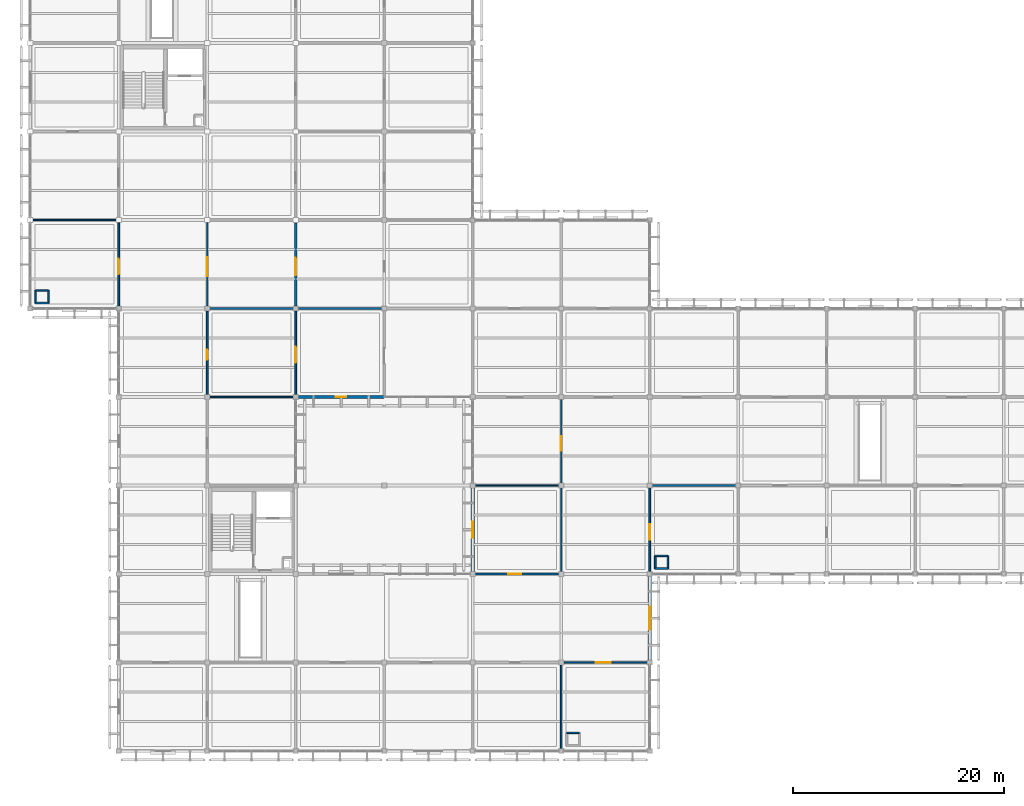
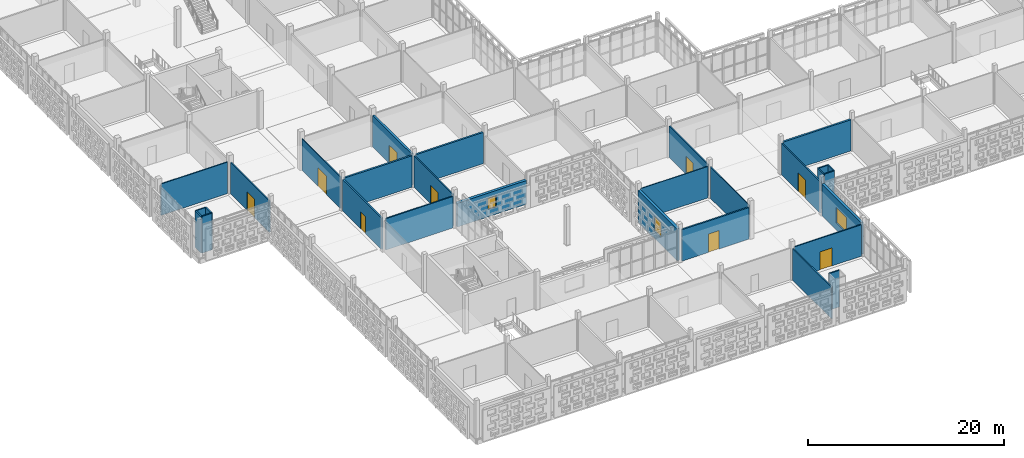
# One storey, part 114 of 203: 29 walls, 9 doors, 3 windows, 12 openings.
"""IFC4 building model written with IfcOpenShell, lengths in metres."""

from ifc_helpers import new_model, si_unit, direction, frame, frame_2d, origin, place, context, subcontext, project, spatial, rectangle, extrude, material, layer, layer_set, type_object, element, fill, save


model = new_model("IFC4")

# Units and contexts
model_context = context("Model", 3, precision=1e-05, world=origin(), true_north=direction((0.0, 1.0)))
body_context = subcontext(model_context, "Body", "Model", "MODEL_VIEW")
ifc_project = project(units=[si_unit("LENGTHUNIT", "METRE"), si_unit("AREAUNIT", "SQUARE_METRE"), si_unit("VOLUMEUNIT", "CUBIC_METRE"), si_unit("PLANEANGLEUNIT", "RADIAN"), si_unit("MASSUNIT", "GRAM", prefix="KILO")], contexts=[model_context])

# Site, building, storey
site_placement = place(None, origin())
site = spatial("IfcSite", under=ifc_project, at=site_placement, CompositionType="ELEMENT")
building_placement = place(site_placement, origin())
building = spatial("IfcBuilding", under=site, at=building_placement, Name="Varnapada Polytechnic", CompositionType="ELEMENT")
storey_placement = place(building_placement, frame((0.0, 0.0, 4.800048828125)))
storey = spatial("IfcBuildingStorey", under=building, at=storey_placement, Name="L01", CompositionType="ELEMENT", Elevation=4.800048828125)

# Walls
ifc_material_1 = material(Name="Autoclaved Aerated Concrete Block AAC-600", Category="concrete")
ifc_layer_1 = layer(ifc_material_1, 0.14990234375)
ifc_layer_set_1 = layer_set([ifc_layer_1], Name="Autoclaved Aerated Concrete Block AAC-600")
wall_type_1 = type_object("IfcWallType", Name="Interior Wall IW-02", PredefinedType="PARTITIONING", material=ifc_layer_set_1)
for number, where, z_axis, x_axis, name in (
    (1, (0.52001953125, 42.52001953125, 0.0), (0.0, 0.0, 1.0), (1.0, 0.0, 0.0), "L01 enclosed service riser wall (1,6) S"),
    (2, (1.719970703125, 42.52001953125, 0.0), (0.0, 0.0, 1.0), (0.0, 1.0, 0.0), "L01 enclosed service riser wall (1,6) E"),
    (3, (1.719970703125, 43.719970703125, 0.0), (0.0, 0.0, 1.0), (-1.0, 0.0, 0.0), "L01 enclosed service riser wall (1,6) N"),
    (4, (0.52001953125, 43.719970703125, 0.0), (0.0, 0.0, 1.0), (0.0, -1.0, 0.0), "L01 enclosed service riser wall (1,6) W"),
):
    element("IfcWall", number, at=place(storey_placement, frame(where, z_axis=z_axis, x_axis=x_axis)), inside=storey, type_object=wall_type_1, Name=name, PredefinedType="PARTITIONING", context=body_context, shape_type="SweptSolid", body=[
        extrude(rectangle(XDim=1.199951171875, YDim=0.14990234375, at=frame_2d((0.60009765625, 0.0))), origin(), (0.0, 0.0, 1.0), 4.56005859375),
    ])
wall_1_placement = place(storey_placement, frame((52.1201171875, 1.719970703125, 0.0), z_axis=(0.0, 0.0, 1.0), x_axis=(-1.0, 0.0, 0.0)))
element("IfcWall", 5, at=wall_1_placement, inside=storey, type_object=wall_type_1, Name="L01 enclosed service riser wall (7,1) N", PredefinedType="PARTITIONING", context=body_context, shape_type="SweptSolid", body=[
    extrude(rectangle(XDim=1.2001953125, YDim=0.14990234375, at=frame_2d((0.60009765625, 0.0))), origin(), (0.0, 0.0, 1.0), 4.56005859375),
])
for number, where, z_axis, x_axis, name in (
    (6, (59.320068359375, 17.320068359375, 0.0), (0.0, 0.0, 1.0), (1.0, 0.0, 0.0), "L01 enclosed service riser wall (8,3) S"),
    (7, (60.52001953125, 17.320068359375, 0.0), (0.0, 0.0, 1.0), (0.0, 1.0, 0.0), "L01 enclosed service riser wall (8,3) E"),
    (8, (60.52001953125, 18.52001953125, 0.0), (0.0, 0.0, 1.0), (-1.0, 0.0, 0.0), "L01 enclosed service riser wall (8,3) N"),
    (9, (59.320068359375, 18.52001953125, 0.0), (0.0, 0.0, 1.0), (0.0, -1.0, 0.0), "L01 enclosed service riser wall (8,3) W"),
):
    element("IfcWall", number, at=place(storey_placement, frame(where, z_axis=z_axis, x_axis=x_axis)), inside=storey, type_object=wall_type_1, Name=name, PredefinedType="PARTITIONING", context=body_context, shape_type="SweptSolid", body=[
        extrude(rectangle(XDim=1.199951171875, YDim=0.14990234375, at=frame_2d((0.60009765625, 0.0))), origin(), (0.0, 0.0, 1.0), 4.530029296875),
    ])

# Wall, opening, door
wall_2_placement = place(storey_placement, frame((8.39990234375, 42.22998046875, 0.0), z_axis=(0.0, 0.0, 1.0), x_axis=(0.0, 1.0, 0.0)))
wall_2 = element("IfcWall", 10, at=wall_2_placement, inside=storey, type_object=wall_type_1, Name="L01 interior partition IW-L01-00-05-V", PredefinedType="PARTITIONING", context=body_context, shape_type="SweptSolid", body=[
    extrude(rectangle(XDim=7.89013671875, YDim=0.14990234375, at=frame_2d((3.945068359375, 0.0))), origin(), (0.0, 0.0, 1.0), 3.919921875),
])
opening_1_placement = place(wall_2_placement, frame((3.0, 0.0, 0.0)))
opening_1 = element("IfcOpeningElement", 11, at=opening_1_placement, cuts=wall_2, Name="Opening D-957", PredefinedType="OPENING", context=body_context, shape_type="SweptSolid", body=[
    extrude(rectangle(XDim=1.5, YDim=2.300048828125, at=frame_2d((0.75, 1.14990234375))), frame((0.0, 0.0849609375, 0.0), z_axis=(0.0, -1.0, 0.0), x_axis=(1.0, 0.0, 0.0)), (0.0, 0.0, 1.0), 0.169921875),
])
ifc_material_2 = material(Name="Galvanized Steel Z275", Category="steel")
door_type_1 = type_object("IfcDoorType", Name="Interior Door ID-07", OperationType="NOTDEFINED", PredefinedType="DOOR", material=ifc_material_2)
door_1_placement = place(opening_1_placement, origin())
door_1 = element("IfcDoor", 12, at=door_1_placement, inside=storey, type_object=door_type_1, Name="L01 interior room door D-957", OperationType="SINGLE_SWING_RIGHT", OverallHeight=2.300048828125, OverallWidth=1.5, PredefinedType="DOOR", context=body_context, shape_type="SweptSolid", body=[
    extrude(rectangle(XDim=1.5, YDim=2.300048828125, at=frame_2d((0.75, 1.14990234375))), frame((0.0, 0.02490234375, 0.0), z_axis=(0.0, -1.0, 0.0), x_axis=(1.0, 0.0, 0.0)), (0.0, 0.0, 1.0), 0.050048828125),
])
fill(opening_1, door_1)

# Walls
ifc_material_3 = material(Name="Gypsum Plasterboard Acoustic Partition")
ifc_layer_2 = layer(ifc_material_3, 0.125)
ifc_layer_set_2 = layer_set([ifc_layer_2], Name="Gypsum Plasterboard Acoustic Partition")
wall_type_2 = type_object("IfcWallType", Name="Interior Wall IW-03", PredefinedType="PARTITIONING", material=ifc_layer_set_2)
wall_3_placement = place(storey_placement, frame((0.280029296875, 50.39990234375, 0.0), z_axis=(0.0, 0.0, 1.0), x_axis=(1.0, 0.0, 0.0)))
element("IfcWall", 13, at=wall_3_placement, inside=storey, type_object=wall_type_2, Name="L01 interior partition IW-L01-00-05-H", PredefinedType="PARTITIONING", context=body_context, shape_type="SweptSolid", body=[
    extrude(rectangle(XDim=7.840087890625, YDim=0.125, at=frame_2d((3.919921875, 0.0))), origin(), (0.0, 0.0, 1.0), 3.919921875),
])
ifc_material_4 = material(Name="Moisture-Resistant Cement Board Partition")
ifc_layer_3 = layer(ifc_material_4, 0.139892578125)
ifc_layer_set_3 = layer_set([ifc_layer_3], Name="Moisture-Resistant Cement Board Partition")
wall_type_3 = type_object("IfcWallType", Name="Interior Wall IW-04", PredefinedType="PARTITIONING", material=ifc_layer_set_3)
wall_4_placement = place(storey_placement, frame((17.050048828125, 33.60009765625, 0.0), z_axis=(0.0, 0.0, 1.0), x_axis=(1.0, 0.0, 0.0)))
element("IfcWall", 14, at=wall_4_placement, inside=storey, type_object=wall_type_3, Name="L01 interior partition IW-L01-02-03-H", PredefinedType="PARTITIONING", context=body_context, shape_type="SweptSolid", body=[
    extrude(rectangle(XDim=7.89990234375, YDim=0.139892578125, at=frame_2d((3.949951171875, 0.0))), origin(), (0.0, 0.0, 1.0), 3.919921875),
])
wall_5_placement = place(storey_placement, frame((50.39990234375, 0.2099609375, 0.0), z_axis=(0.0, 0.0, 1.0), x_axis=(0.0, 1.0, 0.0)))
element("IfcWall", 15, at=wall_5_placement, inside=storey, type_object=wall_type_3, Name="L01 interior partition IW-L01-05-00-V", PredefinedType="PARTITIONING", context=body_context, shape_type="SweptSolid", body=[
    extrude(rectangle(XDim=7.949951171875, YDim=0.139892578125, at=frame_2d((3.97509765625, 0.0))), origin(), (0.0, 0.0, 1.0), 3.919921875),
])

# Wall, opening, door
wall_6_placement = place(storey_placement, frame((50.639892578125, 8.39990234375, 0.0), z_axis=(0.0, 0.0, 1.0), x_axis=(1.0, 0.0, 0.0)))
wall_6 = element("IfcWall", 16, at=wall_6_placement, inside=storey, type_object=wall_type_3, Name="L01 interior partition IW-L01-06-00-H", PredefinedType="PARTITIONING", context=body_context, shape_type="SweptSolid", body=[
    extrude(rectangle(XDim=7.93017578125, YDim=0.139892578125, at=frame_2d((3.965087890625, 0.0))), origin(), (0.0, 0.0, 1.0), 3.919921875),
])
opening_2_placement = place(wall_6_placement, frame((3.050048828125, 0.0, 0.0)))
opening_2 = element("IfcOpeningElement", 17, at=opening_2_placement, cuts=wall_6, Name="Opening D-1007", PredefinedType="OPENING", context=body_context, shape_type="SweptSolid", body=[
    extrude(rectangle(XDim=1.39990234375, YDim=2.25, at=frame_2d((0.699951171875, 1.125))), frame((0.0, 0.079833984375, 0.0), z_axis=(0.0, -1.0, 0.0), x_axis=(1.0, 0.0, 0.0)), (0.0, 0.0, 1.0), 0.159912109375),
])
ifc_material_5 = material(Name="Powder-Coated Aluminium 6063-T6", Category="aluminium")
door_type_2 = type_object("IfcDoorType", Name="Interior Door ID-06", OperationType="NOTDEFINED", PredefinedType="DOOR", material=ifc_material_5)
door_2_placement = place(opening_2_placement, frame((1.39990234375, 0.0, 0.0), z_axis=(0.0, 0.0, 1.0), x_axis=(-1.0, 0.0, 0.0)))
door_2 = element("IfcDoor", 18, at=door_2_placement, inside=storey, type_object=door_type_2, Name="L01 interior room door D-1007", OperationType="SINGLE_SWING_RIGHT", OverallHeight=2.25, OverallWidth=1.39990234375, PredefinedType="DOOR", context=body_context, shape_type="SweptSolid", body=[
    extrude(rectangle(XDim=1.39990234375, YDim=2.25, at=frame_2d((0.699951171875, 1.125))), frame((0.0, 0.02490234375, 0.0), z_axis=(0.0, -1.0, 0.0), x_axis=(1.0, 0.0, 0.0)), (0.0, 0.0, 1.0), 0.050048828125),
])
fill(opening_2, door_2)

ifc_material_6 = material(Name="Cross-laminated timber CLT C24", Category="wood")
ifc_layer_4 = layer(ifc_material_6, 0.159912109375)
ifc_layer_set_4 = layer_set([ifc_layer_4], Name="Cross-laminated timber CLT C24")
wall_type_4 = type_object("IfcWallType", Name="Interior Wall IW-05", PredefinedType="PARTITIONING", material=ifc_layer_set_4)
wall_7_placement = place(storey_placement, frame((58.800048828125, 17.030029296875, 0.0), z_axis=(0.0, 0.0, 1.0), x_axis=(0.0, 1.0, 0.0)))
wall_7 = element("IfcWall", 19, at=wall_7_placement, inside=storey, type_object=wall_type_4, Name="L01 interior partition IW-L01-06-02-V", PredefinedType="PARTITIONING", context=body_context, shape_type="SweptSolid", body=[
    extrude(rectangle(XDim=7.93994140625, YDim=0.159912109375, at=frame_2d((3.969970703125, 0.0))), origin(), (0.0, 0.0, 1.0), 3.919921875),
])
opening_3_placement = place(wall_7_placement, frame((3.0, 0.0, 0.0)))
opening_3 = element("IfcOpeningElement", 20, at=opening_3_placement, cuts=wall_7, Name="Opening D-1008", PredefinedType="OPENING", context=body_context, shape_type="SweptSolid", body=[
    extrude(rectangle(XDim=1.5, YDim=2.300048828125, at=frame_2d((0.75, 1.14990234375))), frame((0.0, 0.08984375, 0.0), z_axis=(0.0, -1.0, 0.0), x_axis=(1.0, 0.0, 0.0)), (0.0, 0.0, 1.0), 0.179931640625),
])
door_3_placement = place(opening_3_placement, origin())
door_3 = element("IfcDoor", 21, at=door_3_placement, inside=storey, type_object=door_type_1, Name="L01 interior room door D-1008", OperationType="SINGLE_SWING_LEFT", OverallHeight=2.300048828125, OverallWidth=1.5, PredefinedType="DOOR", context=body_context, shape_type="SweptSolid", body=[
    extrude(rectangle(XDim=1.5, YDim=2.300048828125, at=frame_2d((0.75, 1.14990234375))), frame((0.0, 0.02490234375, 0.0), z_axis=(0.0, -1.0, 0.0), x_axis=(1.0, 0.0, 0.0)), (0.0, 0.0, 1.0), 0.050048828125),
])
fill(opening_3, door_3)

ifc_material_7 = material(Name="Acoustic Double-Stud Studio Partition")
ifc_layer_5 = layer(ifc_material_7, 0.179931640625)
ifc_layer_set_5 = layer_set([ifc_layer_5], Name="Acoustic Double-Stud Studio Partition")
wall_type_5 = type_object("IfcWallType", Name="Interior Wall IW-06", PredefinedType="PARTITIONING", material=ifc_layer_set_5)
wall_8_placement = place(storey_placement, frame((16.800048828125, 33.85009765625, 0.0), z_axis=(0.0, 0.0, 1.0), x_axis=(0.0, 1.0, 0.0)))
wall_8 = element("IfcWall", 22, at=wall_8_placement, inside=storey, type_object=wall_type_5, Name="L01 interior partition IW-L01-01-04-V", PredefinedType="PARTITIONING", context=body_context, shape_type="SweptSolid", body=[
    extrude(rectangle(XDim=7.919921875, YDim=0.179931640625, at=frame_2d((3.9599609375, 0.0))), origin(), (0.0, 0.0, 1.0), 3.919921875),
])
opening_4_placement = place(wall_8_placement, frame((3.27490234375, 0.0, 0.0)))
opening_4 = element("IfcOpeningElement", 23, at=opening_4_placement, cuts=wall_8, Name="Opening D-970", PredefinedType="OPENING", context=body_context, shape_type="SweptSolid", body=[
    extrude(rectangle(XDim=0.949951171875, YDim=2.14990234375, at=frame_2d((0.47509765625, 1.074951171875))), frame((0.0, 0.099853515625, 0.0), z_axis=(0.0, -1.0, 0.0), x_axis=(1.0, 0.0, 0.0)), (0.0, 0.0, 1.0), 0.199951171875),
])
ifc_material_8 = material(Name="Moisture-Resistant HPL Timber", Category="wood")
door_type_3 = type_object("IfcDoorType", Name="Interior Door ID-03", OperationType="NOTDEFINED", PredefinedType="DOOR", material=ifc_material_8)
door_4_placement = place(opening_4_placement, origin())
door_4 = element("IfcDoor", 24, at=door_4_placement, inside=storey, type_object=door_type_3, Name="L01 interior room door D-970", OperationType="SINGLE_SWING_LEFT", OverallHeight=2.14990234375, OverallWidth=0.949951171875, PredefinedType="DOOR", context=body_context, shape_type="SweptSolid", body=[
    extrude(rectangle(XDim=0.949951171875, YDim=2.14990234375, at=frame_2d((0.47509765625, 1.074951171875))), frame((0.0, 0.02490234375, 0.0), z_axis=(0.0, -1.0, 0.0), x_axis=(1.0, 0.0, 0.0)), (0.0, 0.0, 1.0), 0.050048828125),
])
fill(opening_4, door_4)

wall_9_placement = place(storey_placement, frame((42.25, 16.800048828125, 0.0), z_axis=(0.0, 0.0, 1.0), x_axis=(1.0, 0.0, 0.0)))
wall_9 = element("IfcWall", 25, at=wall_9_placement, inside=storey, type_object=wall_type_5, Name="L01 interior partition IW-L01-05-01-H", PredefinedType="PARTITIONING", context=body_context, shape_type="SweptSolid", body=[
    extrude(rectangle(XDim=7.89990234375, YDim=0.179931640625, at=frame_2d((3.949951171875, 0.0))), origin(), (0.0, 0.0, 1.0), 3.919921875),
])
opening_5_placement = place(wall_9_placement, frame((3.125, 0.0, 0.0)))
opening_5 = element("IfcOpeningElement", 26, at=opening_5_placement, cuts=wall_9, Name="Opening D-1000", PredefinedType="OPENING", context=body_context, shape_type="SweptSolid", body=[
    extrude(rectangle(XDim=1.25, YDim=2.300048828125, at=frame_2d((0.625, 1.14990234375))), frame((0.0, 0.099853515625, 0.0), z_axis=(0.0, -1.0, 0.0), x_axis=(1.0, 0.0, 0.0)), (0.0, 0.0, 1.0), 0.199951171875),
])
ifc_material_9 = material(Name="Solid Teak Hardwood Timber", Category="wood")
door_type_4 = type_object("IfcDoorType", Name="Interior Door ID-16", OperationType="NOTDEFINED", PredefinedType="DOOR", material=ifc_material_9)
door_5_placement = place(opening_5_placement, origin())
door_5 = element("IfcDoor", 27, at=door_5_placement, inside=storey, type_object=door_type_4, Name="L01 interior room door D-1000", OperationType="SINGLE_SWING_LEFT", OverallHeight=2.300048828125, OverallWidth=1.25, PredefinedType="DOOR", context=body_context, shape_type="SweptSolid", body=[
    extrude(rectangle(XDim=1.25, YDim=2.300048828125, at=frame_2d((0.625, 1.14990234375))), frame((0.0, 0.02490234375, 0.0), z_axis=(0.0, -1.0, 0.0), x_axis=(1.0, 0.0, 0.0)), (0.0, 0.0, 1.0), 0.050048828125),
])
fill(opening_5, door_5)

ifc_material_10 = material(Name="Glazed Timber-Framed Studio Screen", Category="wood")
ifc_layer_6 = layer(ifc_material_10, 0.110107421875)
ifc_layer_set_6 = layer_set([ifc_layer_6], Name="Glazed Timber-Framed Studio Screen")
wall_type_6 = type_object("IfcWallType", Name="Interior Wall IW-07", PredefinedType="PARTITIONING", material=ifc_layer_set_6)
wall_10_placement = place(storey_placement, frame((16.800048828125, 42.22998046875, 0.0), z_axis=(0.0, 0.0, 1.0), x_axis=(0.0, 1.0, 0.0)))
wall_10 = element("IfcWall", 28, at=wall_10_placement, inside=storey, type_object=wall_type_6, Name="L01 interior partition IW-L01-01-05-V", PredefinedType="PARTITIONING", context=body_context, shape_type="SweptSolid", body=[
    extrude(rectangle(XDim=7.89013671875, YDim=0.110107421875, at=frame_2d((3.945068359375, 0.0))), origin(), (0.0, 0.0, 1.0), 3.919921875),
])
opening_6_placement = place(wall_10_placement, frame((2.85009765625, 0.0, 0.0)))
opening_6 = element("IfcOpeningElement", 29, at=opening_6_placement, cuts=wall_10, Name="Opening D-971", PredefinedType="OPENING", context=body_context, shape_type="SweptSolid", body=[
    extrude(rectangle(XDim=1.800048828125, YDim=2.300048828125, at=frame_2d((0.89990234375, 1.14990234375))), frame((0.0, 0.06494140625, 0.0), z_axis=(0.0, -1.0, 0.0), x_axis=(1.0, 0.0, 0.0)), (0.0, 0.0, 1.0), 0.130126953125),
])
ifc_material_11 = material(Name="Acoustic Double Timber Leaf", Category="wood")
door_type_5 = type_object("IfcDoorType", Name="Interior Door ID-04", OperationType="NOTDEFINED", PredefinedType="DOOR", material=ifc_material_11)
door_6_placement = place(opening_6_placement, frame((1.800048828125, 0.0, 0.0), z_axis=(0.0, 0.0, 1.0), x_axis=(-1.0, 0.0, 0.0)))
door_6 = element("IfcDoor", 30, at=door_6_placement, inside=storey, type_object=door_type_5, Name="L01 interior room door D-971", OperationType="SINGLE_SWING_RIGHT", OverallHeight=2.300048828125, OverallWidth=1.800048828125, PredefinedType="DOOR", context=body_context, shape_type="SweptSolid", body=[
    extrude(rectangle(XDim=1.800048828125, YDim=2.300048828125, at=frame_2d((0.89990234375, 1.14990234375))), frame((0.0, 0.02490234375, 0.0), z_axis=(0.0, -1.0, 0.0), x_axis=(1.0, 0.0, 0.0)), (0.0, 0.0, 1.0), 0.050048828125),
])
fill(opening_6, door_6)

# Walls
wall_11_placement = place(storey_placement, frame((50.39990234375, 17.050048828125, 0.0), z_axis=(0.0, 0.0, 1.0), x_axis=(0.0, 1.0, 0.0)))
element("IfcWall", 31, at=wall_11_placement, inside=storey, type_object=wall_type_6, Name="L01 interior partition IW-L01-05-02-V", PredefinedType="PARTITIONING", context=body_context, shape_type="SweptSolid", body=[
    extrude(rectangle(XDim=7.909912109375, YDim=0.110107421875, at=frame_2d((3.955078125, 0.0))), origin(), (0.0, 0.0, 1.0), 3.919921875),
])
ifc_material_12 = material(Name="Operable Acoustic Seminar Partition")
ifc_layer_7 = layer(ifc_material_12, 0.10009765625)
ifc_layer_set_7 = layer_set([ifc_layer_7], Name="Operable Acoustic Seminar Partition")
wall_type_7 = type_object("IfcWallType", Name="Interior Wall IW-08", PredefinedType="MOVABLE", material=ifc_layer_set_7)
wall_12_placement = place(storey_placement, frame((42.239990234375, 25.199951171875, 0.0), z_axis=(0.0, 0.0, 1.0), x_axis=(1.0, 0.0, 0.0)))
element("IfcWall", 32, at=wall_12_placement, inside=storey, type_object=wall_type_7, Name="L01 interior partition IW-L01-05-02-H", PredefinedType="MOVABLE", context=body_context, shape_type="SweptSolid", body=[
    extrude(rectangle(XDim=7.919921875, YDim=0.10009765625, at=frame_2d((3.9599609375, 0.0))), origin(), (0.0, 0.0, 1.0), 3.919921875),
])

# Wall, opening, door
ifc_material_13 = material(Name="Calcium Silicate Acoustic Lab Partition")
ifc_layer_8 = layer(ifc_material_13, 0.135009765625)
ifc_layer_set_8 = layer_set([ifc_layer_8], Name="Calcium Silicate Acoustic Lab Partition")
wall_type_8 = type_object("IfcWallType", Name="Interior Wall IW-09", PredefinedType="PARTITIONING", material=ifc_layer_set_8)
wall_13_placement = place(storey_placement, frame((50.39990234375, 25.43994140625, 0.0), z_axis=(0.0, 0.0, 1.0), x_axis=(0.0, 1.0, 0.0)))
wall_13 = element("IfcWall", 33, at=wall_13_placement, inside=storey, type_object=wall_type_8, Name="L01 interior partition IW-L01-05-03-V", PredefinedType="PARTITIONING", context=body_context, shape_type="SweptSolid", body=[
    extrude(rectangle(XDim=7.91015625, YDim=0.135009765625, at=frame_2d((3.955078125, 0.0))), origin(), (0.0, 0.0, 1.0), 3.919921875),
])
opening_7_placement = place(wall_13_placement, frame((3.074951171875, 0.0, 0.0)))
opening_7 = element("IfcOpeningElement", 34, at=opening_7_placement, cuts=wall_13, Name="Opening D-1001", PredefinedType="OPENING", context=body_context, shape_type="SweptSolid", body=[
    extrude(rectangle(XDim=1.35009765625, YDim=2.25, at=frame_2d((0.675048828125, 1.125))), frame((0.0, 0.077392578125, 0.0), z_axis=(0.0, -1.0, 0.0), x_axis=(1.0, 0.0, 0.0)), (0.0, 0.0, 1.0), 0.155029296875),
])
door_type_6 = type_object("IfcDoorType", Name="Interior Door ID-17", OperationType="NOTDEFINED", PredefinedType="DOOR", material=ifc_material_5)
door_7_placement = place(opening_7_placement, frame((1.35009765625, 0.0, 0.0), z_axis=(0.0, 0.0, 1.0), x_axis=(-1.0, 0.0, 0.0)))
door_7 = element("IfcDoor", 35, at=door_7_placement, inside=storey, type_object=door_type_6, Name="L01 interior room door D-1001", OperationType="SINGLE_SWING_RIGHT", OverallHeight=2.25, OverallWidth=1.35009765625, PredefinedType="DOOR", context=body_context, shape_type="SweptSolid", body=[
    extrude(rectangle(XDim=1.35009765625, YDim=2.25, at=frame_2d((0.675048828125, 1.125))), frame((0.0, 0.02490234375, 0.0), z_axis=(0.0, -1.0, 0.0), x_axis=(1.0, 0.0, 0.0)), (0.0, 0.0, 1.0), 0.050048828125),
])
fill(opening_7, door_7)

# Wall
ifc_material_14 = material(Name="Heavy Acoustic Auditorium Baffle Wall")
ifc_layer_9 = layer(ifc_material_14, 0.219970703125)
ifc_layer_set_9 = layer_set([ifc_layer_9], Name="Heavy Acoustic Auditorium Baffle Wall")
wall_type_9 = type_object("IfcWallType", Name="Interior Wall IW-13", PredefinedType="PARTITIONING", material=ifc_layer_set_9)
wall_14_placement = place(storey_placement, frame((59.030029296875, 25.199951171875, 0.0), z_axis=(0.0, 0.0, 1.0), x_axis=(1.0, 0.0, 0.0)))
element("IfcWall", 36, at=wall_14_placement, inside=storey, type_object=wall_type_9, Name="L01 interior partition IW-L01-07-02-H", PredefinedType="PARTITIONING", context=body_context, shape_type="SweptSolid", body=[
    extrude(rectangle(XDim=7.9599609375, YDim=0.219970703125, at=frame_2d((3.97998046875, 0.0))), origin(), (0.0, 0.0, 1.0), 3.889892578125),
])

# Wall, opening, door
ifc_material_15 = material(Name="Perforated Timber-Lined Seminar Wall", Category="wood")
ifc_layer_10 = layer(ifc_material_15, 0.155029296875)
ifc_layer_set_10 = layer_set([ifc_layer_10], Name="Perforated Timber-Lined Seminar Wall")
wall_type_10 = type_object("IfcWallType", Name="Interior Wall IW-15", PredefinedType="PARTITIONING", material=ifc_layer_set_10)
wall_15_placement = place(storey_placement, frame((25.199951171875, 33.85009765625, 0.0), z_axis=(0.0, 0.0, 1.0), x_axis=(0.0, 1.0, 0.0)))
wall_15 = element("IfcWall", 37, at=wall_15_placement, inside=storey, type_object=wall_type_10, Name="L01 interior partition IW-L01-02-04-V", PredefinedType="PARTITIONING", context=body_context, shape_type="SweptSolid", body=[
    extrude(rectangle(XDim=7.919921875, YDim=0.155029296875, at=frame_2d((3.9599609375, 0.0))), origin(), (0.0, 0.0, 1.0), 3.919921875),
])
opening_8_placement = place(wall_15_placement, frame((3.0, 0.0, 0.0)))
opening_8 = element("IfcOpeningElement", 38, at=opening_8_placement, cuts=wall_15, Name="Opening D-974", PredefinedType="OPENING", context=body_context, shape_type="SweptSolid", body=[
    extrude(rectangle(XDim=1.5, YDim=2.300048828125, at=frame_2d((0.75, 1.14990234375))), frame((0.0, 0.08740234375, 0.0), z_axis=(0.0, -1.0, 0.0), x_axis=(1.0, 0.0, 0.0)), (0.0, 0.0, 1.0), 0.175048828125),
])
door_8_placement = place(opening_8_placement, frame((1.5, 0.0, 0.0), z_axis=(0.0, 0.0, 1.0), x_axis=(-1.0, 0.0, 0.0)))
door_8 = element("IfcDoor", 39, at=door_8_placement, inside=storey, type_object=door_type_1, Name="L01 interior room door D-974", OperationType="SINGLE_SWING_LEFT", OverallHeight=2.300048828125, OverallWidth=1.5, PredefinedType="DOOR", context=body_context, shape_type="SweptSolid", body=[
    extrude(rectangle(XDim=1.5, YDim=2.300048828125, at=frame_2d((0.75, 1.14990234375))), frame((0.0, 0.02490234375, 0.0), z_axis=(0.0, -1.0, 0.0), x_axis=(1.0, 0.0, 0.0)), (0.0, 0.0, 1.0), 0.050048828125),
])
fill(opening_8, door_8)

# Walls
ifc_material_16 = material(Name="Heavy Masonry Workshop Partition", Category="masonry")
ifc_layer_11 = layer(ifc_material_16, 0.2099609375)
ifc_layer_set_11 = layer_set([ifc_layer_11], Name="Heavy Masonry Workshop Partition")
wall_type_11 = type_object("IfcWallType", Name="Interior Wall IW-16", PredefinedType="PARTITIONING", material=ifc_layer_set_11)
wall_16_placement = place(storey_placement, frame((17.030029296875, 42.0, 0.0), z_axis=(0.0, 0.0, 1.0), x_axis=(1.0, 0.0, 0.0)))
element("IfcWall", 40, at=wall_16_placement, inside=storey, type_object=wall_type_11, Name="L01 interior partition IW-L01-02-04-H", PredefinedType="PARTITIONING", context=body_context, shape_type="SweptSolid", body=[
    extrude(rectangle(XDim=7.93994140625, YDim=0.2099609375, at=frame_2d((3.969970703125, 0.0))), origin(), (0.0, 0.0, 1.0), 3.919921875),
])
wall_17_placement = place(storey_placement, frame((25.429931640625, 42.0, 0.0), z_axis=(0.0, 0.0, 1.0), x_axis=(1.0, 0.0, 0.0)))
element("IfcWall", 41, at=wall_17_placement, inside=storey, type_object=wall_type_11, Name="L01 interior partition IW-L01-03-04-H", PredefinedType="PARTITIONING", context=body_context, shape_type="SweptSolid", body=[
    extrude(rectangle(XDim=7.940185546875, YDim=0.2099609375, at=frame_2d((3.97021484375, 0.0))), origin(), (0.0, 0.0, 1.0), 3.889892578125),
])

# Wall, opening, door
ifc_material_17 = material(Name="Double-Leaf Acoustic Lecture Wall")
ifc_layer_12 = layer(ifc_material_17, 0.235107421875)
ifc_layer_set_12 = layer_set([ifc_layer_12], Name="Double-Leaf Acoustic Lecture Wall")
wall_type_12 = type_object("IfcWallType", Name="Interior Wall IW-17", PredefinedType="PARTITIONING", material=ifc_layer_set_12)
wall_18_placement = place(storey_placement, frame((25.199951171875, 42.22998046875, 0.0), z_axis=(0.0, 0.0, 1.0), x_axis=(0.0, 1.0, 0.0)))
wall_18 = element("IfcWall", 42, at=wall_18_placement, inside=storey, type_object=wall_type_12, Name="L01 interior partition IW-L01-02-05-V", PredefinedType="PARTITIONING", context=body_context, shape_type="SweptSolid", body=[
    extrude(rectangle(XDim=7.89013671875, YDim=0.235107421875, at=frame_2d((3.945068359375, 0.0))), origin(), (0.0, 0.0, 1.0), 3.919921875),
])
opening_9_placement = place(wall_18_placement, frame((2.925048828125, 0.0, 0.0)))
opening_9 = element("IfcOpeningElement", 43, at=opening_9_placement, cuts=wall_18, Name="Opening D-975", PredefinedType="OPENING", context=body_context, shape_type="SweptSolid", body=[
    extrude(rectangle(XDim=1.64990234375, YDim=2.25, at=frame_2d((0.824951171875, 1.125))), frame((0.0, 0.12744140625, 0.0), z_axis=(0.0, -1.0, 0.0), x_axis=(1.0, 0.0, 0.0)), (0.0, 0.0, 1.0), 0.255126953125),
])
door_type_7 = type_object("IfcDoorType", Name="Interior Door ID-08", OperationType="NOTDEFINED", PredefinedType="DOOR", material=ifc_material_9)
door_9_placement = place(opening_9_placement, origin())
door_9 = element("IfcDoor", 44, at=door_9_placement, inside=storey, type_object=door_type_7, Name="L01 interior room door D-975", OperationType="SINGLE_SWING_RIGHT", OverallHeight=2.25, OverallWidth=1.64990234375, PredefinedType="DOOR", context=body_context, shape_type="SweptSolid", body=[
    extrude(rectangle(XDim=1.64990234375, YDim=2.25, at=frame_2d((0.824951171875, 1.125))), frame((0.0, 0.02490234375, 0.0), z_axis=(0.0, -1.0, 0.0), x_axis=(1.0, 0.0, 0.0)), (0.0, 0.0, 1.0), 0.050048828125),
])
fill(opening_9, door_9)

# Wall, opening, window
ifc_material_18 = material(Name="Precast concrete C40/50", Category="concrete")
ifc_layer_13 = layer(ifc_material_18, 0.300048828125)
ifc_layer_set_13 = layer_set([ifc_layer_13], Name="Precast concrete C40/50")
wall_type_13 = type_object("IfcWallType", Name="Wall EW-01", PredefinedType="SOLIDWALL", material=ifc_layer_set_13)
wall_19_placement = place(storey_placement, frame((58.800048828125, 16.590087890625, 0.0), z_axis=(0.0, 0.0, 1.0), x_axis=(0.0, -1.0, 0.0)))
wall_19 = element("IfcWall", 45, at=wall_19_placement, inside=storey, type_object=wall_type_13, Name="L01 exterior wall EW-01 (45)", PredefinedType="SOLIDWALL", context=body_context, shape_type="SweptSolid", body=[
    extrude(rectangle(XDim=7.97998046875, YDim=0.300048828125, at=frame_2d((3.989990234375, 0.0))), origin(), (0.0, 0.0, 1.0), 3.9599609375),
])
opening_10_placement = place(wall_19_placement, frame((2.889892578125, 0.0, 0.89990234375)))
opening_10 = element("IfcOpeningElement", 46, at=opening_10_placement, cuts=wall_19, Name="Opening WN-12", PredefinedType="OPENING", context=body_context, shape_type="SweptSolid", body=[
    extrude(rectangle(XDim=2.199951171875, YDim=1.89990234375, at=frame_2d((1.10009765625, 0.949951171875))), frame((0.0, 0.159912109375, 0.0), z_axis=(0.0, -1.0, 0.0), x_axis=(1.0, 0.0, 0.0)), (0.0, 0.0, 1.0), 0.320068359375),
])
ifc_material_19 = material(Name="Double low-E laminated glass", Category="glass")
window_type_1 = type_object("IfcWindowType", Name="Window WN-12", PartitioningType="SINGLE_PANEL", PredefinedType="WINDOW", material=ifc_material_19)
window_1_placement = place(opening_10_placement, origin())
window_1 = element("IfcWindow", 47, at=window_1_placement, inside=storey, type_object=window_type_1, Name="L01 window WN-12 (77)", OverallHeight=1.89990234375, OverallWidth=2.199951171875, PartitioningType="SINGLE_PANEL", PredefinedType="WINDOW", context=body_context, shape_type="SweptSolid", body=[
    extrude(rectangle(XDim=2.199951171875, YDim=1.89990234375, at=frame_2d((1.10009765625, 0.949951171875))), frame((0.0, 0.030029296875, 0.0), z_axis=(0.0, -1.0, 0.0), x_axis=(1.0, 0.0, 0.0)), (0.0, 0.0, 1.0), 0.06005859375),
])
fill(opening_10, window_1)

ifc_layer_14 = layer(ifc_material_18, 0.320068359375)
ifc_layer_set_14 = layer_set([ifc_layer_14], Name="Precast concrete C40/50")
wall_type_14 = type_object("IfcWallType", Name="Wall EW-04", PredefinedType="SOLIDWALL", material=ifc_layer_set_14)
wall_20_placement = place(storey_placement, frame((33.60009765625, 33.60009765625, 0.0), z_axis=(0.0, 0.0, 1.0), x_axis=(-1.0, 0.0, 0.0)))
wall_20 = element("IfcWall", 48, at=wall_20_placement, inside=storey, type_object=wall_type_14, Name="L01 exterior wall EW-04 (26)", PredefinedType="SOLIDWALL", context=body_context, shape_type="SweptSolid", body=[
    extrude(rectangle(XDim=8.170166015625, YDim=0.320068359375, at=frame_2d((4.0849609375, 0.0))), origin(), (0.0, 0.0, 1.0), 2.949951171875),
])
opening_11_placement = place(wall_20_placement, frame((3.5849609375, 0.0, 0.89990234375)))
opening_11 = element("IfcOpeningElement", 49, at=opening_11_placement, cuts=wall_20, Name="Opening WN-06", PredefinedType="OPENING", context=body_context, shape_type="SweptSolid", body=[
    extrude(rectangle(XDim=1.0, YDim=1.39990234375, at=frame_2d((0.5, 0.699951171875))), frame((0.0, 0.169921875, 0.0), z_axis=(0.0, -1.0, 0.0), x_axis=(1.0, 0.0, 0.0)), (0.0, 0.0, 1.0), 0.340087890625),
])
window_type_2 = type_object("IfcWindowType", Name="Window WN-06", PartitioningType="SINGLE_PANEL", PredefinedType="WINDOW", material=ifc_material_19)
window_2_placement = place(opening_11_placement, origin())
window_2 = element("IfcWindow", 50, at=window_2_placement, inside=storey, type_object=window_type_2, Name="L01 window WN-06 (74)", OverallHeight=1.39990234375, OverallWidth=1.0, PartitioningType="SINGLE_PANEL", PredefinedType="WINDOW", context=body_context, shape_type="SweptSolid", body=[
    extrude(rectangle(XDim=1.0, YDim=1.39990234375, at=frame_2d((0.5, 0.699951171875))), frame((0.0, 0.030029296875, 0.0), z_axis=(0.0, -1.0, 0.0), x_axis=(1.0, 0.0, 0.0)), (0.0, 0.0, 1.0), 0.06005859375),
])
fill(opening_11, window_2)

wall_21_placement = place(storey_placement, frame((42.0, 17.030029296875, 0.0), z_axis=(0.0, 0.0, 1.0), x_axis=(0.0, 1.0, 0.0)))
wall_21 = element("IfcWall", 51, at=wall_21_placement, inside=storey, type_object=wall_type_14, Name="L01 exterior wall EW-04 (38)", PredefinedType="SOLIDWALL", context=body_context, shape_type="SweptSolid", body=[
    extrude(rectangle(XDim=7.949951171875, YDim=0.320068359375, at=frame_2d((3.97509765625, 0.0))), origin(), (0.0, 0.0, 1.0), 3.9599609375),
])
opening_12_placement = place(wall_21_placement, frame((3.22509765625, 0.0, 0.89990234375)))
opening_12 = element("IfcOpeningElement", 52, at=opening_12_placement, cuts=wall_21, Name="Opening WN-10", PredefinedType="OPENING", context=body_context, shape_type="SweptSolid", body=[
    extrude(rectangle(XDim=1.5, YDim=1.85009765625, at=frame_2d((0.75, 0.925048828125))), frame((0.0, 0.169921875, 0.0), z_axis=(0.0, -1.0, 0.0), x_axis=(1.0, 0.0, 0.0)), (0.0, 0.0, 1.0), 0.340087890625),
])
window_type_3 = type_object("IfcWindowType", Name="Window WN-10", PartitioningType="SINGLE_PANEL", PredefinedType="WINDOW", material=ifc_material_19)
window_3_placement = place(opening_12_placement, origin())
window_3 = element("IfcWindow", 53, at=window_3_placement, inside=storey, type_object=window_type_3, Name="L01 window WN-10 (76)", OverallHeight=1.85009765625, OverallWidth=1.5, PartitioningType="SINGLE_PANEL", PredefinedType="WINDOW", context=body_context, shape_type="SweptSolid", body=[
    extrude(rectangle(XDim=1.5, YDim=1.85009765625, at=frame_2d((0.75, 0.925048828125))), frame((0.0, 0.030029296875, 0.0), z_axis=(0.0, -1.0, 0.0), x_axis=(1.0, 0.0, 0.0)), (0.0, 0.0, 1.0), 0.06005859375),
])
fill(opening_12, window_3)

save(model, "model.ifc")
